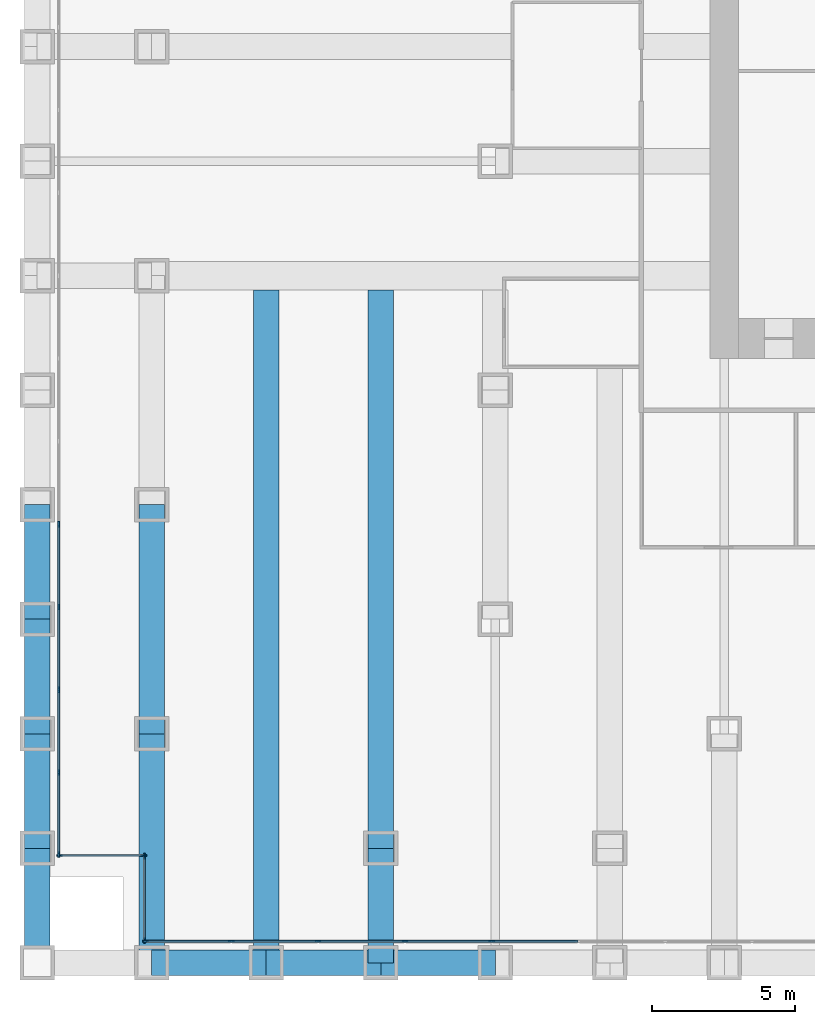
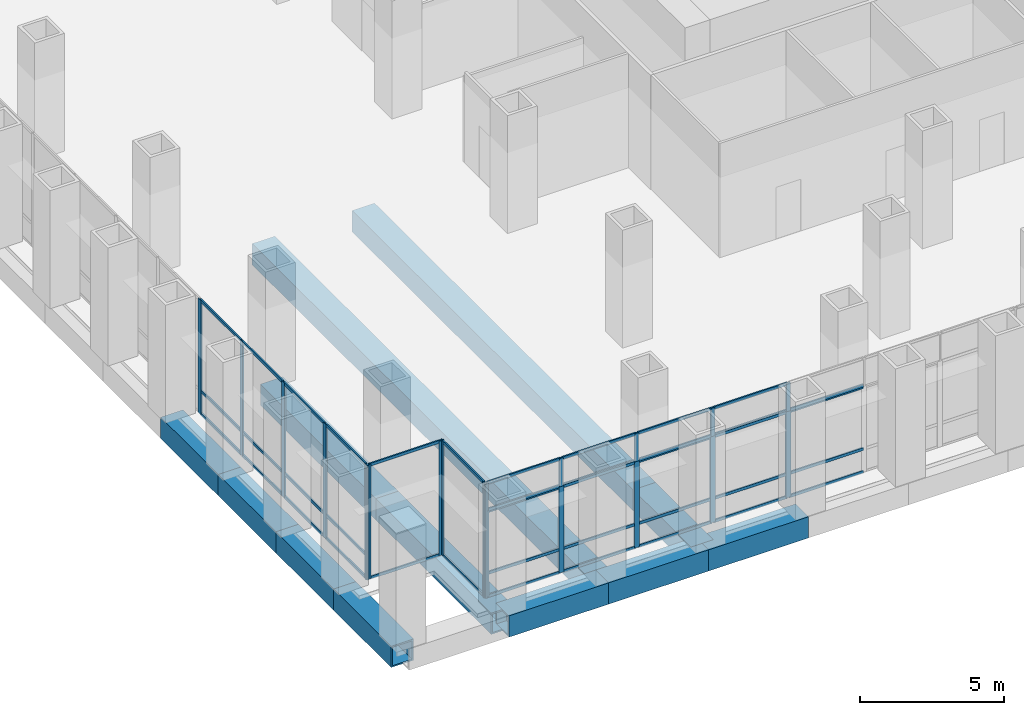
# One storey, part 2 of 18: 59 members, 12 beams, 5 elements without a shape of their own.
"""IFC4 building model written with IfcOpenShell, lengths in metres."""

from ifc_helpers import new_model, si_unit, direction, frame, origin, origin_2d, place, context, subcontext, project, spatial, rectangle, hollow_rectangle, extrude, material, material_profile, profile_set, type_object, element, aggregate, save


model = new_model("IFC4")

# Units and contexts
model_context = context("Model", 3, precision=1e-05, world=origin(), true_north=direction((0.0, 1.0)))
body_context = subcontext(model_context, "Body", "Model", "MODEL_VIEW")
ifc_project = project(units=[si_unit("LENGTHUNIT", "METRE"), si_unit("AREAUNIT", "SQUARE_METRE"), si_unit("VOLUMEUNIT", "CUBIC_METRE"), si_unit("PLANEANGLEUNIT", "RADIAN"), si_unit("MASSUNIT", "GRAM", prefix="KILO")], contexts=[model_context])

# Site, building, storey
site_placement = place(None, origin())
site = spatial("IfcSite", under=ifc_project, at=site_placement, CompositionType="ELEMENT")
building_placement = place(site_placement, origin())
building = spatial("IfcBuilding", under=site, at=building_placement, Name="Rimbunsela Tower", CompositionType="ELEMENT")
storey_placement = place(building_placement, frame((0.0, 0.0, 6.0)))
storey = spatial("IfcBuildingStorey", under=building, at=storey_placement, Name="L01", CompositionType="ELEMENT", Elevation=6.0)

# Beams
ifc_material_1 = material(Name="Steel BJ 55 (fy 410 MPa)", Category="steel")
ifc_material_profile_1 = material_profile(ifc_material_1, hollow_rectangle(XDim=0.89990234375, YDim=0.89990234375, WallThickness=0.06005859375, at=origin_2d()), Name="BOX 900x900x60")
ifc_profile_set_1 = profile_set([ifc_material_profile_1], Name="Steel BJ 55 (fy 410 MPa)")
beam_type = type_object("IfcBeamType", Name="Beam BOX 900x900x60", PredefinedType="BEAM", material=ifc_profile_set_1)
for number, where, z_axis, x_axis, name in (
    (1, (-6.0, -4.0, -0.60009765625), (0.0, 1.0, 0.0), (-1.0, 0.0, 0.0), "Beam B1 L01"),
    (2, (-6.0, 0.0, -0.60009765625), (0.0, 1.0, 0.0), (-1.0, 0.0, 0.0), "Beam B1 L01"),
    (3, (-6.0, 4.0, -0.60009765625), (0.0, 1.0, 0.0), (-1.0, 0.0, 0.0), "Beam B1 L01"),
    (4, (-6.0, 8.0, -0.60009765625), (0.0, 1.0, 0.0), (-1.0, 0.0, 0.0), "Beam B1 L01"),
):
    element("IfcBeam", number, at=place(storey_placement, frame(where, z_axis=z_axis, x_axis=x_axis)), inside=storey, type_object=beam_type, Name=name, PredefinedType="BEAM", context=body_context, shape_type="SweptSolid", body=[
        extrude(hollow_rectangle(XDim=0.89990234375, YDim=0.89990234375, WallThickness=0.06005859375, at=origin_2d()), origin(), (0.0, 0.0, 1.0), 4.0),
    ])
beam_1_placement = place(storey_placement, frame((-2.0, -4.0, -0.60009765625), z_axis=(0.0, 1.0, 0.0), x_axis=(-1.0, 0.0, 0.0)))
element("IfcBeam", 5, at=beam_1_placement, inside=storey, type_object=beam_type, Name="Beam B1 L01", PredefinedType="BEAM", context=body_context, shape_type="SweptSolid", body=[
    extrude(hollow_rectangle(XDim=0.89990234375, YDim=0.89990234375, WallThickness=0.06005859375, at=origin_2d()), origin(), (0.0, 0.0, 1.0), 8.0),
])
beam_2_placement = place(storey_placement, frame((-2.0, -4.0, -0.60009765625), z_axis=(1.0, 0.0, 0.0), x_axis=(0.0, 1.0, 0.0)))
element("IfcBeam", 6, at=beam_2_placement, inside=storey, type_object=beam_type, Name="Beam B1 L01", PredefinedType="BEAM", context=body_context, shape_type="SweptSolid", body=[
    extrude(hollow_rectangle(XDim=0.89990234375, YDim=0.89990234375, WallThickness=0.06005859375, at=origin_2d()), origin(), (0.0, 0.0, 1.0), 4.0),
])
beam_3_placement = place(storey_placement, frame((-2.0, 4.0, -0.60009765625), z_axis=(0.0, 1.0, 0.0), x_axis=(-1.0, 0.0, 0.0)))
element("IfcBeam", 7, at=beam_3_placement, inside=storey, type_object=beam_type, Name="Beam B1 L01", PredefinedType="BEAM", context=body_context, shape_type="SweptSolid", body=[
    extrude(hollow_rectangle(XDim=0.89990234375, YDim=0.89990234375, WallThickness=0.06005859375, at=origin_2d()), origin(), (0.0, 0.0, 1.0), 8.0),
])
beam_4_placement = place(storey_placement, frame((2.0, -4.0, -0.60009765625), z_axis=(0.0, 1.0, 0.0), x_axis=(-1.0, 0.0, 0.0)))
element("IfcBeam", 8, at=beam_4_placement, inside=storey, type_object=beam_type, Name="Beam B1 L01", PredefinedType="BEAM", context=body_context, shape_type="SweptSolid", body=[
    extrude(hollow_rectangle(XDim=0.89990234375, YDim=0.89990234375, WallThickness=0.06005859375, at=origin_2d()), origin(), (0.0, 0.0, 1.0), 23.5),
])
for number, where, z_axis, x_axis, name in (
    (9, (2.0, -4.0, -0.60009765625), (1.0, 0.0, 0.0), (0.0, 1.0, 0.0), "Beam B1 L01"),
    (10, (6.0, -4.0, -0.60009765625), (0.0, 1.0, 0.0), (-1.0, 0.0, 0.0), "Beam B1 L01"),
    (11, (6.0, -4.0, -0.60009765625), (1.0, 0.0, 0.0), (0.0, 1.0, 0.0), "Beam B1 L01"),
):
    element("IfcBeam", number, at=place(storey_placement, frame(where, z_axis=z_axis, x_axis=x_axis)), inside=storey, type_object=beam_type, Name=name, PredefinedType="BEAM", context=body_context, shape_type="SweptSolid", body=[
        extrude(hollow_rectangle(XDim=0.89990234375, YDim=0.89990234375, WallThickness=0.06005859375, at=origin_2d()), origin(), (0.0, 0.0, 1.0), 4.0),
    ])
beam_5_placement = place(storey_placement, frame((6.0, 0.0, -0.60009765625), z_axis=(0.0, 1.0, 0.0), x_axis=(-1.0, 0.0, 0.0)))
element("IfcBeam", 12, at=beam_5_placement, inside=storey, type_object=beam_type, Name="Beam B1 L01", PredefinedType="BEAM", context=body_context, shape_type="SweptSolid", body=[
    extrude(hollow_rectangle(XDim=0.89990234375, YDim=0.89990234375, WallThickness=0.06005859375, at=origin_2d()), origin(), (0.0, 0.0, 1.0), 19.5),
])

# Curtain wall, members
ifc_material_2 = material(Name="Aluminium curtain wall", Category="aluminium")
curtain_wall_type_1 = type_object("IfcCurtainWallType", Name="Spandrel wall", PredefinedType="USERDEFINED", material=ifc_material_2)
curtain_wall_1_placement = place(storey_placement, origin())
curtain_wall_1 = element("IfcCurtainWall", 13, at=curtain_wall_1_placement, inside=storey, type_object=curtain_wall_type_1, Name="Spandrel wall L01", ObjectType="SPANDREL WALL", PredefinedType="USERDEFINED")
ifc_material_3 = material(Name="Aluminium mullion", Category="aluminium")
ifc_material_profile_2 = material_profile(ifc_material_3, rectangle(XDim=0.06005859375, YDim=0.159912109375, at=origin_2d()), Name="Mullion 60x160")
ifc_profile_set_2 = profile_set([ifc_material_profile_2], Name="Aluminium mullion")
member_type_1 = type_object("IfcMemberType", Name="Curtain wall mullion 60x160", PredefinedType="MULLION", material=ifc_profile_set_2)
member_1_placement = place(storey_placement, frame((-2.219970703125, -3.25, 3.64990234375), z_axis=(0.0, 0.0, 1.0), x_axis=(0.0, 1.0, 0.0)))
member_1 = element("IfcMember", 14, at=member_1_placement, type_object=member_type_1, Name="CW7 mullion 1", PredefinedType="MULLION", context=body_context, shape_type="SweptSolid", body=[
    extrude(rectangle(XDim=0.06005859375, YDim=0.159912109375, at=origin_2d()), origin(), (0.0, 0.0, 1.0), 1.2001953125),
])
member_2_placement = place(storey_placement, frame((0.78125, -3.25, 3.64990234375), z_axis=(0.0, 0.0, 1.0), x_axis=(0.0, 1.0, 0.0)))
member_2 = element("IfcMember", 15, at=member_2_placement, type_object=member_type_1, Name="CW7 mullion 2", PredefinedType="MULLION", context=body_context, shape_type="SweptSolid", body=[
    extrude(rectangle(XDim=0.06005859375, YDim=0.159912109375, at=origin_2d()), origin(), (0.0, 0.0, 1.0), 1.2001953125),
])
member_3_placement = place(storey_placement, frame((3.8125, -3.25, 3.64990234375), z_axis=(0.0, 0.0, 1.0), x_axis=(0.0, 1.0, 0.0)))
member_3 = element("IfcMember", 16, at=member_3_placement, type_object=member_type_1, Name="CW7 mullion 3", PredefinedType="MULLION", context=body_context, shape_type="SweptSolid", body=[
    extrude(rectangle(XDim=0.06005859375, YDim=0.159912109375, at=origin_2d()), origin(), (0.0, 0.0, 1.0), 1.2001953125),
])
member_4_placement = place(storey_placement, frame((6.84375, -3.25, 3.64990234375), z_axis=(0.0, 0.0, 1.0), x_axis=(0.0, 1.0, 0.0)))
member_4 = element("IfcMember", 17, at=member_4_placement, type_object=member_type_1, Name="CW7 mullion 4", PredefinedType="MULLION", context=body_context, shape_type="SweptSolid", body=[
    extrude(rectangle(XDim=0.06005859375, YDim=0.159912109375, at=origin_2d()), origin(), (0.0, 0.0, 1.0), 1.2001953125),
])
member_5_placement = place(storey_placement, frame((9.875, -3.25, 3.64990234375), z_axis=(0.0, 0.0, 1.0), x_axis=(0.0, 1.0, 0.0)))
member_5 = element("IfcMember", 18, at=member_5_placement, type_object=member_type_1, Name="CW7 mullion 5", PredefinedType="MULLION", context=body_context, shape_type="SweptSolid", body=[
    extrude(rectangle(XDim=0.06005859375, YDim=0.159912109375, at=origin_2d()), origin(), (0.0, 0.0, 1.0), 1.2001953125),
])

ifc_material_4 = material(Name="Aluminium curtain wall", Category="aluminium")
curtain_wall_type_2 = type_object("IfcCurtainWallType", Name="Podium glazing", PredefinedType="USERDEFINED", material=ifc_material_4)
curtain_wall_2_placement = place(storey_placement, origin())
curtain_wall_2 = element("IfcCurtainWall", 19, at=curtain_wall_2_placement, inside=storey, type_object=curtain_wall_type_2, Name="Podium glazing L01", ObjectType="PODIUM GLAZING", PredefinedType="USERDEFINED")
ifc_material_5 = material(Name="Aluminium mullion", Category="aluminium")
ifc_material_profile_3 = material_profile(ifc_material_5, rectangle(XDim=0.06005859375, YDim=0.199951171875, at=origin_2d()), Name="Mullion 60x200")
ifc_profile_set_3 = profile_set([ifc_material_profile_3], Name="Aluminium mullion")
member_type_2 = type_object("IfcMemberType", Name="Curtain wall mullion 60x200", PredefinedType="MULLION", material=ifc_profile_set_3)
member_6_placement = place(storey_placement, frame((-5.25, 11.321533203125, 0.0), z_axis=(0.0, 0.0, 1.0), x_axis=(1.0, 0.0, 0.0)))
member_6 = element("IfcMember", 20, at=member_6_placement, type_object=member_type_2, Name="CW1 mullion 11", PredefinedType="MULLION", context=body_context, shape_type="SweptSolid", body=[
    extrude(rectangle(XDim=0.06005859375, YDim=0.199951171875, at=origin_2d()), origin(), (0.0, 0.0, 1.0), 4.85009765625),
])
member_7_placement = place(storey_placement, frame((-5.25, 8.428466796875, 0.0), z_axis=(0.0, 0.0, 1.0), x_axis=(1.0, 0.0, 0.0)))
member_7 = element("IfcMember", 21, at=member_7_placement, type_object=member_type_2, Name="CW1 mullion 12", PredefinedType="MULLION", context=body_context, shape_type="SweptSolid", body=[
    extrude(rectangle(XDim=0.06005859375, YDim=0.199951171875, at=origin_2d()), origin(), (0.0, 0.0, 1.0), 4.85009765625),
])
member_8_placement = place(storey_placement, frame((-5.25, 5.53564453125, 0.0), z_axis=(0.0, 0.0, 1.0), x_axis=(1.0, 0.0, 0.0)))
member_8 = element("IfcMember", 22, at=member_8_placement, type_object=member_type_2, Name="CW1 mullion 13", PredefinedType="MULLION", context=body_context, shape_type="SweptSolid", body=[
    extrude(rectangle(XDim=0.06005859375, YDim=0.199951171875, at=origin_2d()), origin(), (0.0, 0.0, 1.0), 4.85009765625),
])
member_9_placement = place(storey_placement, frame((-5.25, 2.642822265625, 0.0), z_axis=(0.0, 0.0, 1.0), x_axis=(1.0, 0.0, 0.0)))
member_9 = element("IfcMember", 23, at=member_9_placement, type_object=member_type_2, Name="CW1 mullion 14", PredefinedType="MULLION", context=body_context, shape_type="SweptSolid", body=[
    extrude(rectangle(XDim=0.06005859375, YDim=0.199951171875, at=origin_2d()), origin(), (0.0, 0.0, 1.0), 4.85009765625),
])
member_10_placement = place(storey_placement, frame((-5.25, -0.219970703125, 0.0), z_axis=(0.0, 0.0, 1.0), x_axis=(1.0, 0.0, 0.0)))
member_10 = element("IfcMember", 24, at=member_10_placement, type_object=member_type_2, Name="CW1 mullion 15", PredefinedType="MULLION", context=body_context, shape_type="SweptSolid", body=[
    extrude(rectangle(XDim=0.06005859375, YDim=0.199951171875, at=origin_2d()), origin(), (0.0, 0.0, 1.0), 4.85009765625),
])

ifc_material_6 = material(Name="Aluminium curtain wall", Category="aluminium")
curtain_wall_type_3 = type_object("IfcCurtainWallType", Name="Corner glazing", PredefinedType="USERDEFINED", material=ifc_material_6)
curtain_wall_3_placement = place(storey_placement, origin())
curtain_wall_3 = element("IfcCurtainWall", 25, at=curtain_wall_3_placement, inside=storey, type_object=curtain_wall_type_3, Name="Corner glazing L01", ObjectType="CORNER GLAZING", PredefinedType="USERDEFINED")
member_11_placement = place(storey_placement, frame((-5.219970703125, -0.25, 0.0), z_axis=(0.0, 0.0, 1.0), x_axis=(0.0, 1.0, 0.0)))
member_11 = element("IfcMember", 26, at=member_11_placement, type_object=member_type_2, Name="CW5 mullion 1", PredefinedType="MULLION", context=body_context, shape_type="SweptSolid", body=[
    extrude(rectangle(XDim=0.06005859375, YDim=0.199951171875, at=origin_2d()), origin(), (0.0, 0.0, 1.0), 4.85009765625),
])
member_12_placement = place(storey_placement, frame((-2.280029296875, -0.25, 0.0), z_axis=(0.0, 0.0, 1.0), x_axis=(0.0, 1.0, 0.0)))
member_12 = element("IfcMember", 27, at=member_12_placement, type_object=member_type_2, Name="CW5 mullion 2", PredefinedType="MULLION", context=body_context, shape_type="SweptSolid", body=[
    extrude(rectangle(XDim=0.06005859375, YDim=0.199951171875, at=origin_2d()), origin(), (0.0, 0.0, 1.0), 4.85009765625),
])

curtain_wall_4_placement = place(storey_placement, origin())
curtain_wall_4 = element("IfcCurtainWall", 28, at=curtain_wall_4_placement, inside=storey, type_object=curtain_wall_type_3, Name="Corner glazing L01", ObjectType="CORNER GLAZING", PredefinedType="USERDEFINED")
member_13_placement = place(storey_placement, frame((-2.25, -0.280029296875, 0.0), z_axis=(0.0, 0.0, 1.0), x_axis=(1.0, 0.0, 0.0)))
member_13 = element("IfcMember", 29, at=member_13_placement, type_object=member_type_2, Name="CW5 mullion 1", PredefinedType="MULLION", context=body_context, shape_type="SweptSolid", body=[
    extrude(rectangle(XDim=0.06005859375, YDim=0.199951171875, at=origin_2d()), origin(), (0.0, 0.0, 1.0), 4.85009765625),
])
member_14_placement = place(storey_placement, frame((-2.25, -3.219970703125, 0.0), z_axis=(0.0, 0.0, 1.0), x_axis=(1.0, 0.0, 0.0)))
member_14 = element("IfcMember", 30, at=member_14_placement, type_object=member_type_2, Name="CW5 mullion 2", PredefinedType="MULLION", context=body_context, shape_type="SweptSolid", body=[
    extrude(rectangle(XDim=0.06005859375, YDim=0.199951171875, at=origin_2d()), origin(), (0.0, 0.0, 1.0), 4.85009765625),
])

curtain_wall_5_placement = place(storey_placement, origin())
curtain_wall_5 = element("IfcCurtainWall", 31, at=curtain_wall_5_placement, inside=storey, type_object=curtain_wall_type_2, Name="Podium glazing L01", ObjectType="PODIUM GLAZING", PredefinedType="USERDEFINED")
member_15_placement = place(storey_placement, frame((-2.219970703125, -3.25, 0.0), z_axis=(0.0, 0.0, 1.0), x_axis=(0.0, 1.0, 0.0)))
member_15 = element("IfcMember", 32, at=member_15_placement, type_object=member_type_2, Name="CW1 mullion 1", PredefinedType="MULLION", context=body_context, shape_type="SweptSolid", body=[
    extrude(rectangle(XDim=0.06005859375, YDim=0.199951171875, at=origin_2d()), origin(), (0.0, 0.0, 1.0), 3.64990234375),
])
member_16_placement = place(storey_placement, frame((0.78125, -3.25, 0.0), z_axis=(0.0, 0.0, 1.0), x_axis=(0.0, 1.0, 0.0)))
member_16 = element("IfcMember", 33, at=member_16_placement, type_object=member_type_2, Name="CW1 mullion 2", PredefinedType="MULLION", context=body_context, shape_type="SweptSolid", body=[
    extrude(rectangle(XDim=0.06005859375, YDim=0.199951171875, at=origin_2d()), origin(), (0.0, 0.0, 1.0), 3.64990234375),
])
member_17_placement = place(storey_placement, frame((3.8125, -3.25, 0.0), z_axis=(0.0, 0.0, 1.0), x_axis=(0.0, 1.0, 0.0)))
member_17 = element("IfcMember", 34, at=member_17_placement, type_object=member_type_2, Name="CW1 mullion 3", PredefinedType="MULLION", context=body_context, shape_type="SweptSolid", body=[
    extrude(rectangle(XDim=0.06005859375, YDim=0.199951171875, at=origin_2d()), origin(), (0.0, 0.0, 1.0), 3.64990234375),
])
member_18_placement = place(storey_placement, frame((6.84375, -3.25, 0.0), z_axis=(0.0, 0.0, 1.0), x_axis=(0.0, 1.0, 0.0)))
member_18 = element("IfcMember", 35, at=member_18_placement, type_object=member_type_2, Name="CW1 mullion 4", PredefinedType="MULLION", context=body_context, shape_type="SweptSolid", body=[
    extrude(rectangle(XDim=0.06005859375, YDim=0.199951171875, at=origin_2d()), origin(), (0.0, 0.0, 1.0), 3.64990234375),
])
member_19_placement = place(storey_placement, frame((9.875, -3.25, 0.0), z_axis=(0.0, 0.0, 1.0), x_axis=(0.0, 1.0, 0.0)))
member_19 = element("IfcMember", 36, at=member_19_placement, type_object=member_type_2, Name="CW1 mullion 5", PredefinedType="MULLION", context=body_context, shape_type="SweptSolid", body=[
    extrude(rectangle(XDim=0.06005859375, YDim=0.199951171875, at=origin_2d()), origin(), (0.0, 0.0, 1.0), 3.64990234375),
])

# Member
ifc_material_7 = material(Name="Aluminium transom", Category="aluminium")
ifc_material_profile_4 = material_profile(ifc_material_7, rectangle(XDim=0.06005859375, YDim=0.1201171875, at=origin_2d()), Name="Transom 60x120")
ifc_profile_set_4 = profile_set([ifc_material_profile_4], Name="Aluminium transom")
member_type_3 = type_object("IfcMemberType", Name="Curtain wall transom 60x120", PredefinedType="USERDEFINED", material=ifc_profile_set_4)
member_20_placement = place(storey_placement, frame((-5.25, 11.29150390625, 0.030029296875), z_axis=(0.0, -1.0, 0.0), x_axis=(1.0, 0.0, 0.0)))
member_20 = element("IfcMember", 37, at=member_20_placement, type_object=member_type_3, Name="CW1 transom 11.1", ObjectType="TRANSOM", PredefinedType="USERDEFINED", context=body_context, shape_type="SweptSolid", body=[
    extrude(rectangle(XDim=0.06005859375, YDim=0.1201171875, at=origin_2d()), origin(), (0.0, 0.0, 1.0), 2.8330078125),
])

member_21_placement = place(storey_placement, frame((-5.25, 11.29150390625, 1.0), z_axis=(0.0, -1.0, 0.0), x_axis=(1.0, 0.0, 0.0)))
member_21 = element("IfcMember", 38, at=member_21_placement, type_object=member_type_3, Name="CW1 transom 11.2", ObjectType="TRANSOM", PredefinedType="USERDEFINED", context=body_context, shape_type="SweptSolid", body=[
    extrude(rectangle(XDim=0.06005859375, YDim=0.1201171875, at=origin_2d()), origin(), (0.0, 0.0, 1.0), 2.8330078125),
])

member_22_placement = place(storey_placement, frame((-5.25, 11.29150390625, 4.820068359375), z_axis=(0.0, -1.0, 0.0), x_axis=(1.0, 0.0, 0.0)))
member_22 = element("IfcMember", 39, at=member_22_placement, type_object=member_type_3, Name="CW1 transom 11.3", ObjectType="TRANSOM", PredefinedType="USERDEFINED", context=body_context, shape_type="SweptSolid", body=[
    extrude(rectangle(XDim=0.06005859375, YDim=0.1201171875, at=origin_2d()), origin(), (0.0, 0.0, 1.0), 2.8330078125),
])

member_23_placement = place(storey_placement, frame((-5.25, 8.398681640625, 0.030029296875), z_axis=(0.0, -1.0, 0.0), x_axis=(1.0, 0.0, 0.0)))
member_23 = element("IfcMember", 40, at=member_23_placement, type_object=member_type_3, Name="CW1 transom 12.1", ObjectType="TRANSOM", PredefinedType="USERDEFINED", context=body_context, shape_type="SweptSolid", body=[
    extrude(rectangle(XDim=0.06005859375, YDim=0.1201171875, at=origin_2d()), origin(), (0.0, 0.0, 1.0), 2.8330078125),
])

member_24_placement = place(storey_placement, frame((-5.25, 8.398681640625, 1.0), z_axis=(0.0, -1.0, 0.0), x_axis=(1.0, 0.0, 0.0)))
member_24 = element("IfcMember", 41, at=member_24_placement, type_object=member_type_3, Name="CW1 transom 12.2", ObjectType="TRANSOM", PredefinedType="USERDEFINED", context=body_context, shape_type="SweptSolid", body=[
    extrude(rectangle(XDim=0.06005859375, YDim=0.1201171875, at=origin_2d()), origin(), (0.0, 0.0, 1.0), 2.8330078125),
])

member_25_placement = place(storey_placement, frame((-5.25, 8.398681640625, 4.820068359375), z_axis=(0.0, -1.0, 0.0), x_axis=(1.0, 0.0, 0.0)))
member_25 = element("IfcMember", 42, at=member_25_placement, type_object=member_type_3, Name="CW1 transom 12.3", ObjectType="TRANSOM", PredefinedType="USERDEFINED", context=body_context, shape_type="SweptSolid", body=[
    extrude(rectangle(XDim=0.06005859375, YDim=0.1201171875, at=origin_2d()), origin(), (0.0, 0.0, 1.0), 2.8330078125),
])

member_26_placement = place(storey_placement, frame((-5.25, 5.505615234375, 0.030029296875), z_axis=(0.0, -1.0, 0.0), x_axis=(1.0, 0.0, 0.0)))
member_26 = element("IfcMember", 43, at=member_26_placement, type_object=member_type_3, Name="CW1 transom 13.1", ObjectType="TRANSOM", PredefinedType="USERDEFINED", context=body_context, shape_type="SweptSolid", body=[
    extrude(rectangle(XDim=0.06005859375, YDim=0.1201171875, at=origin_2d()), origin(), (0.0, 0.0, 1.0), 2.832763671875),
])

member_27_placement = place(storey_placement, frame((-5.25, 5.505615234375, 1.0), z_axis=(0.0, -1.0, 0.0), x_axis=(1.0, 0.0, 0.0)))
member_27 = element("IfcMember", 44, at=member_27_placement, type_object=member_type_3, Name="CW1 transom 13.2", ObjectType="TRANSOM", PredefinedType="USERDEFINED", context=body_context, shape_type="SweptSolid", body=[
    extrude(rectangle(XDim=0.06005859375, YDim=0.1201171875, at=origin_2d()), origin(), (0.0, 0.0, 1.0), 2.832763671875),
])

member_28_placement = place(storey_placement, frame((-5.25, 5.505615234375, 4.820068359375), z_axis=(0.0, -1.0, 0.0), x_axis=(1.0, 0.0, 0.0)))
member_28 = element("IfcMember", 45, at=member_28_placement, type_object=member_type_3, Name="CW1 transom 13.3", ObjectType="TRANSOM", PredefinedType="USERDEFINED", context=body_context, shape_type="SweptSolid", body=[
    extrude(rectangle(XDim=0.06005859375, YDim=0.1201171875, at=origin_2d()), origin(), (0.0, 0.0, 1.0), 2.832763671875),
])

member_29_placement = place(storey_placement, frame((-5.25, 2.61279296875, 0.030029296875), z_axis=(0.0, -1.0, 0.0), x_axis=(1.0, 0.0, 0.0)))
member_29 = element("IfcMember", 46, at=member_29_placement, type_object=member_type_3, Name="CW1 transom 14.1", ObjectType="TRANSOM", PredefinedType="USERDEFINED", context=body_context, shape_type="SweptSolid", body=[
    extrude(rectangle(XDim=0.06005859375, YDim=0.1201171875, at=origin_2d()), origin(), (0.0, 0.0, 1.0), 2.802734375),
])

member_30_placement = place(storey_placement, frame((-5.25, 2.61279296875, 1.0), z_axis=(0.0, -1.0, 0.0), x_axis=(1.0, 0.0, 0.0)))
member_30 = element("IfcMember", 47, at=member_30_placement, type_object=member_type_3, Name="CW1 transom 14.2", ObjectType="TRANSOM", PredefinedType="USERDEFINED", context=body_context, shape_type="SweptSolid", body=[
    extrude(rectangle(XDim=0.06005859375, YDim=0.1201171875, at=origin_2d()), origin(), (0.0, 0.0, 1.0), 2.802734375),
])

member_31_placement = place(storey_placement, frame((-5.25, 2.61279296875, 4.820068359375), z_axis=(0.0, -1.0, 0.0), x_axis=(1.0, 0.0, 0.0)))
member_31 = element("IfcMember", 48, at=member_31_placement, type_object=member_type_3, Name="CW1 transom 14.3", ObjectType="TRANSOM", PredefinedType="USERDEFINED", context=body_context, shape_type="SweptSolid", body=[
    extrude(rectangle(XDim=0.06005859375, YDim=0.1201171875, at=origin_2d()), origin(), (0.0, 0.0, 1.0), 2.802734375),
])

aggregate(curtain_wall_2, [member_6, member_7, member_8, member_9, member_10, member_20, member_21, member_22, member_23, member_24, member_25, member_26, member_27, member_28, member_29, member_30, member_31])

member_32_placement = place(storey_placement, frame((-5.18994140625, -0.25, 0.030029296875), z_axis=(1.0, 0.0, 0.0), x_axis=(0.0, 1.0, 0.0)))
member_32 = element("IfcMember", 49, at=member_32_placement, type_object=member_type_3, Name="CW5 transom 1.1", ObjectType="TRANSOM", PredefinedType="USERDEFINED", context=body_context, shape_type="SweptSolid", body=[
    extrude(rectangle(XDim=0.06005859375, YDim=0.1201171875, at=origin_2d()), origin(), (0.0, 0.0, 1.0), 2.8798828125),
])

member_33_placement = place(storey_placement, frame((-5.18994140625, -0.25, 4.820068359375), z_axis=(1.0, 0.0, 0.0), x_axis=(0.0, 1.0, 0.0)))
member_33 = element("IfcMember", 50, at=member_33_placement, type_object=member_type_3, Name="CW5 transom 1.2", ObjectType="TRANSOM", PredefinedType="USERDEFINED", context=body_context, shape_type="SweptSolid", body=[
    extrude(rectangle(XDim=0.06005859375, YDim=0.1201171875, at=origin_2d()), origin(), (0.0, 0.0, 1.0), 2.8798828125),
])

aggregate(curtain_wall_3, [member_11, member_12, member_32, member_33])

member_34_placement = place(storey_placement, frame((-2.25, -0.31005859375, 0.030029296875), z_axis=(0.0, -1.0, 0.0), x_axis=(1.0, 0.0, 0.0)))
member_34 = element("IfcMember", 51, at=member_34_placement, type_object=member_type_3, Name="CW5 transom 1.1", ObjectType="TRANSOM", PredefinedType="USERDEFINED", context=body_context, shape_type="SweptSolid", body=[
    extrude(rectangle(XDim=0.06005859375, YDim=0.1201171875, at=origin_2d()), origin(), (0.0, 0.0, 1.0), 2.8798828125),
])

member_35_placement = place(storey_placement, frame((-2.25, -0.31005859375, 4.820068359375), z_axis=(0.0, -1.0, 0.0), x_axis=(1.0, 0.0, 0.0)))
member_35 = element("IfcMember", 52, at=member_35_placement, type_object=member_type_3, Name="CW5 transom 1.2", ObjectType="TRANSOM", PredefinedType="USERDEFINED", context=body_context, shape_type="SweptSolid", body=[
    extrude(rectangle(XDim=0.06005859375, YDim=0.1201171875, at=origin_2d()), origin(), (0.0, 0.0, 1.0), 2.8798828125),
])

aggregate(curtain_wall_4, [member_13, member_14, member_34, member_35])

member_36_placement = place(storey_placement, frame((-2.18994140625, -3.25, 0.030029296875), z_axis=(1.0, 0.0, 0.0), x_axis=(0.0, 1.0, 0.0)))
member_36 = element("IfcMember", 53, at=member_36_placement, type_object=member_type_3, Name="CW1 transom 1.1", ObjectType="TRANSOM", PredefinedType="USERDEFINED", context=body_context, shape_type="SweptSolid", body=[
    extrude(rectangle(XDim=0.06005859375, YDim=0.1201171875, at=origin_2d()), origin(), (0.0, 0.0, 1.0), 2.941162109375),
])

member_37_placement = place(storey_placement, frame((-2.18994140625, -3.25, 1.0), z_axis=(1.0, 0.0, 0.0), x_axis=(0.0, 1.0, 0.0)))
member_37 = element("IfcMember", 54, at=member_37_placement, type_object=member_type_3, Name="CW1 transom 1.2", ObjectType="TRANSOM", PredefinedType="USERDEFINED", context=body_context, shape_type="SweptSolid", body=[
    extrude(rectangle(XDim=0.06005859375, YDim=0.1201171875, at=origin_2d()), origin(), (0.0, 0.0, 1.0), 2.941162109375),
])

member_38_placement = place(storey_placement, frame((-2.18994140625, -3.25, 3.6201171875), z_axis=(1.0, 0.0, 0.0), x_axis=(0.0, 1.0, 0.0)))
member_38 = element("IfcMember", 55, at=member_38_placement, type_object=member_type_3, Name="CW1 transom 1.3", ObjectType="TRANSOM", PredefinedType="USERDEFINED", context=body_context, shape_type="SweptSolid", body=[
    extrude(rectangle(XDim=0.06005859375, YDim=0.1201171875, at=origin_2d()), origin(), (0.0, 0.0, 1.0), 2.941162109375),
])

member_39_placement = place(storey_placement, frame((0.811279296875, -3.25, 0.030029296875), z_axis=(1.0, 0.0, 0.0), x_axis=(0.0, 1.0, 0.0)))
member_39 = element("IfcMember", 56, at=member_39_placement, type_object=member_type_3, Name="CW1 transom 2.1", ObjectType="TRANSOM", PredefinedType="USERDEFINED", context=body_context, shape_type="SweptSolid", body=[
    extrude(rectangle(XDim=0.06005859375, YDim=0.1201171875, at=origin_2d()), origin(), (0.0, 0.0, 1.0), 2.97119140625),
])

member_40_placement = place(storey_placement, frame((0.811279296875, -3.25, 1.0), z_axis=(1.0, 0.0, 0.0), x_axis=(0.0, 1.0, 0.0)))
member_40 = element("IfcMember", 57, at=member_40_placement, type_object=member_type_3, Name="CW1 transom 2.2", ObjectType="TRANSOM", PredefinedType="USERDEFINED", context=body_context, shape_type="SweptSolid", body=[
    extrude(rectangle(XDim=0.06005859375, YDim=0.1201171875, at=origin_2d()), origin(), (0.0, 0.0, 1.0), 2.97119140625),
])

member_41_placement = place(storey_placement, frame((0.811279296875, -3.25, 3.6201171875), z_axis=(1.0, 0.0, 0.0), x_axis=(0.0, 1.0, 0.0)))
member_41 = element("IfcMember", 58, at=member_41_placement, type_object=member_type_3, Name="CW1 transom 2.3", ObjectType="TRANSOM", PredefinedType="USERDEFINED", context=body_context, shape_type="SweptSolid", body=[
    extrude(rectangle(XDim=0.06005859375, YDim=0.1201171875, at=origin_2d()), origin(), (0.0, 0.0, 1.0), 2.97119140625),
])

member_42_placement = place(storey_placement, frame((3.842529296875, -3.25, 0.030029296875), z_axis=(1.0, 0.0, 0.0), x_axis=(0.0, 1.0, 0.0)))
member_42 = element("IfcMember", 59, at=member_42_placement, type_object=member_type_3, Name="CW1 transom 3.1", ObjectType="TRANSOM", PredefinedType="USERDEFINED", context=body_context, shape_type="SweptSolid", body=[
    extrude(rectangle(XDim=0.06005859375, YDim=0.1201171875, at=origin_2d()), origin(), (0.0, 0.0, 1.0), 2.97119140625),
])

member_43_placement = place(storey_placement, frame((3.842529296875, -3.25, 1.0), z_axis=(1.0, 0.0, 0.0), x_axis=(0.0, 1.0, 0.0)))
member_43 = element("IfcMember", 60, at=member_43_placement, type_object=member_type_3, Name="CW1 transom 3.2", ObjectType="TRANSOM", PredefinedType="USERDEFINED", context=body_context, shape_type="SweptSolid", body=[
    extrude(rectangle(XDim=0.06005859375, YDim=0.1201171875, at=origin_2d()), origin(), (0.0, 0.0, 1.0), 2.97119140625),
])

member_44_placement = place(storey_placement, frame((3.842529296875, -3.25, 3.6201171875), z_axis=(1.0, 0.0, 0.0), x_axis=(0.0, 1.0, 0.0)))
member_44 = element("IfcMember", 61, at=member_44_placement, type_object=member_type_3, Name="CW1 transom 3.3", ObjectType="TRANSOM", PredefinedType="USERDEFINED", context=body_context, shape_type="SweptSolid", body=[
    extrude(rectangle(XDim=0.06005859375, YDim=0.1201171875, at=origin_2d()), origin(), (0.0, 0.0, 1.0), 2.97119140625),
])

member_45_placement = place(storey_placement, frame((6.873779296875, -3.25, 0.030029296875), z_axis=(1.0, 0.0, 0.0), x_axis=(0.0, 1.0, 0.0)))
member_45 = element("IfcMember", 62, at=member_45_placement, type_object=member_type_3, Name="CW1 transom 4.1", ObjectType="TRANSOM", PredefinedType="USERDEFINED", context=body_context, shape_type="SweptSolid", body=[
    extrude(rectangle(XDim=0.06005859375, YDim=0.1201171875, at=origin_2d()), origin(), (0.0, 0.0, 1.0), 2.97119140625),
])

member_46_placement = place(storey_placement, frame((6.873779296875, -3.25, 1.0), z_axis=(1.0, 0.0, 0.0), x_axis=(0.0, 1.0, 0.0)))
member_46 = element("IfcMember", 63, at=member_46_placement, type_object=member_type_3, Name="CW1 transom 4.2", ObjectType="TRANSOM", PredefinedType="USERDEFINED", context=body_context, shape_type="SweptSolid", body=[
    extrude(rectangle(XDim=0.06005859375, YDim=0.1201171875, at=origin_2d()), origin(), (0.0, 0.0, 1.0), 2.97119140625),
])

member_47_placement = place(storey_placement, frame((6.873779296875, -3.25, 3.6201171875), z_axis=(1.0, 0.0, 0.0), x_axis=(0.0, 1.0, 0.0)))
member_47 = element("IfcMember", 64, at=member_47_placement, type_object=member_type_3, Name="CW1 transom 4.3", ObjectType="TRANSOM", PredefinedType="USERDEFINED", context=body_context, shape_type="SweptSolid", body=[
    extrude(rectangle(XDim=0.06005859375, YDim=0.1201171875, at=origin_2d()), origin(), (0.0, 0.0, 1.0), 2.97119140625),
])

member_48_placement = place(storey_placement, frame((9.905029296875, -3.25, 0.030029296875), z_axis=(1.0, 0.0, 0.0), x_axis=(0.0, 1.0, 0.0)))
member_48 = element("IfcMember", 65, at=member_48_placement, type_object=member_type_3, Name="CW1 transom 5.1", ObjectType="TRANSOM", PredefinedType="USERDEFINED", context=body_context, shape_type="SweptSolid", body=[
    extrude(rectangle(XDim=0.06005859375, YDim=0.1201171875, at=origin_2d()), origin(), (0.0, 0.0, 1.0), 2.97119140625),
])

member_49_placement = place(storey_placement, frame((9.905029296875, -3.25, 1.0), z_axis=(1.0, 0.0, 0.0), x_axis=(0.0, 1.0, 0.0)))
member_49 = element("IfcMember", 66, at=member_49_placement, type_object=member_type_3, Name="CW1 transom 5.2", ObjectType="TRANSOM", PredefinedType="USERDEFINED", context=body_context, shape_type="SweptSolid", body=[
    extrude(rectangle(XDim=0.06005859375, YDim=0.1201171875, at=origin_2d()), origin(), (0.0, 0.0, 1.0), 2.97119140625),
])

member_50_placement = place(storey_placement, frame((9.905029296875, -3.25, 3.6201171875), z_axis=(1.0, 0.0, 0.0), x_axis=(0.0, 1.0, 0.0)))
member_50 = element("IfcMember", 67, at=member_50_placement, type_object=member_type_3, Name="CW1 transom 5.3", ObjectType="TRANSOM", PredefinedType="USERDEFINED", context=body_context, shape_type="SweptSolid", body=[
    extrude(rectangle(XDim=0.06005859375, YDim=0.1201171875, at=origin_2d()), origin(), (0.0, 0.0, 1.0), 2.97119140625),
])

aggregate(curtain_wall_5, [member_15, member_16, member_17, member_18, member_19, member_36, member_37, member_38, member_39, member_40, member_41, member_42, member_43, member_44, member_45, member_46, member_47, member_48, member_49, member_50])

member_51_placement = place(storey_placement, frame((-2.18994140625, -3.25, 3.679931640625), z_axis=(1.0, 0.0, 0.0), x_axis=(0.0, 1.0, 0.0)))
member_51 = element("IfcMember", 68, at=member_51_placement, type_object=member_type_3, Name="CW7 transom 1.1", ObjectType="TRANSOM", PredefinedType="USERDEFINED", context=body_context, shape_type="SweptSolid", body=[
    extrude(rectangle(XDim=0.06005859375, YDim=0.1201171875, at=origin_2d()), origin(), (0.0, 0.0, 1.0), 2.941162109375),
])

member_52_placement = place(storey_placement, frame((-2.18994140625, -3.25, 4.820068359375), z_axis=(1.0, 0.0, 0.0), x_axis=(0.0, 1.0, 0.0)))
member_52 = element("IfcMember", 69, at=member_52_placement, type_object=member_type_3, Name="CW7 transom 1.2", ObjectType="TRANSOM", PredefinedType="USERDEFINED", context=body_context, shape_type="SweptSolid", body=[
    extrude(rectangle(XDim=0.06005859375, YDim=0.1201171875, at=origin_2d()), origin(), (0.0, 0.0, 1.0), 2.941162109375),
])

member_53_placement = place(storey_placement, frame((0.811279296875, -3.25, 3.679931640625), z_axis=(1.0, 0.0, 0.0), x_axis=(0.0, 1.0, 0.0)))
member_53 = element("IfcMember", 70, at=member_53_placement, type_object=member_type_3, Name="CW7 transom 2.1", ObjectType="TRANSOM", PredefinedType="USERDEFINED", context=body_context, shape_type="SweptSolid", body=[
    extrude(rectangle(XDim=0.06005859375, YDim=0.1201171875, at=origin_2d()), origin(), (0.0, 0.0, 1.0), 2.97119140625),
])

member_54_placement = place(storey_placement, frame((0.811279296875, -3.25, 4.820068359375), z_axis=(1.0, 0.0, 0.0), x_axis=(0.0, 1.0, 0.0)))
member_54 = element("IfcMember", 71, at=member_54_placement, type_object=member_type_3, Name="CW7 transom 2.2", ObjectType="TRANSOM", PredefinedType="USERDEFINED", context=body_context, shape_type="SweptSolid", body=[
    extrude(rectangle(XDim=0.06005859375, YDim=0.1201171875, at=origin_2d()), origin(), (0.0, 0.0, 1.0), 2.97119140625),
])

member_55_placement = place(storey_placement, frame((3.842529296875, -3.25, 3.679931640625), z_axis=(1.0, 0.0, 0.0), x_axis=(0.0, 1.0, 0.0)))
member_55 = element("IfcMember", 72, at=member_55_placement, type_object=member_type_3, Name="CW7 transom 3.1", ObjectType="TRANSOM", PredefinedType="USERDEFINED", context=body_context, shape_type="SweptSolid", body=[
    extrude(rectangle(XDim=0.06005859375, YDim=0.1201171875, at=origin_2d()), origin(), (0.0, 0.0, 1.0), 2.97119140625),
])

member_56_placement = place(storey_placement, frame((3.842529296875, -3.25, 4.820068359375), z_axis=(1.0, 0.0, 0.0), x_axis=(0.0, 1.0, 0.0)))
member_56 = element("IfcMember", 73, at=member_56_placement, type_object=member_type_3, Name="CW7 transom 3.2", ObjectType="TRANSOM", PredefinedType="USERDEFINED", context=body_context, shape_type="SweptSolid", body=[
    extrude(rectangle(XDim=0.06005859375, YDim=0.1201171875, at=origin_2d()), origin(), (0.0, 0.0, 1.0), 2.97119140625),
])

member_57_placement = place(storey_placement, frame((6.873779296875, -3.25, 3.679931640625), z_axis=(1.0, 0.0, 0.0), x_axis=(0.0, 1.0, 0.0)))
member_57 = element("IfcMember", 74, at=member_57_placement, type_object=member_type_3, Name="CW7 transom 4.1", ObjectType="TRANSOM", PredefinedType="USERDEFINED", context=body_context, shape_type="SweptSolid", body=[
    extrude(rectangle(XDim=0.06005859375, YDim=0.1201171875, at=origin_2d()), origin(), (0.0, 0.0, 1.0), 2.97119140625),
])

member_58_placement = place(storey_placement, frame((6.873779296875, -3.25, 4.820068359375), z_axis=(1.0, 0.0, 0.0), x_axis=(0.0, 1.0, 0.0)))
member_58 = element("IfcMember", 75, at=member_58_placement, type_object=member_type_3, Name="CW7 transom 4.2", ObjectType="TRANSOM", PredefinedType="USERDEFINED", context=body_context, shape_type="SweptSolid", body=[
    extrude(rectangle(XDim=0.06005859375, YDim=0.1201171875, at=origin_2d()), origin(), (0.0, 0.0, 1.0), 2.97119140625),
])

member_59_placement = place(storey_placement, frame((9.905029296875, -3.25, 3.679931640625), z_axis=(1.0, 0.0, 0.0), x_axis=(0.0, 1.0, 0.0)))
member_59 = element("IfcMember", 76, at=member_59_placement, type_object=member_type_3, Name="CW7 transom 5.1", ObjectType="TRANSOM", PredefinedType="USERDEFINED", context=body_context, shape_type="SweptSolid", body=[
    extrude(rectangle(XDim=0.06005859375, YDim=0.1201171875, at=origin_2d()), origin(), (0.0, 0.0, 1.0), 2.97119140625),
])

aggregate(curtain_wall_1, [member_1, member_2, member_3, member_4, member_5, member_51, member_52, member_53, member_54, member_55, member_56, member_57, member_58, member_59])

save(model, "model.ifc")
